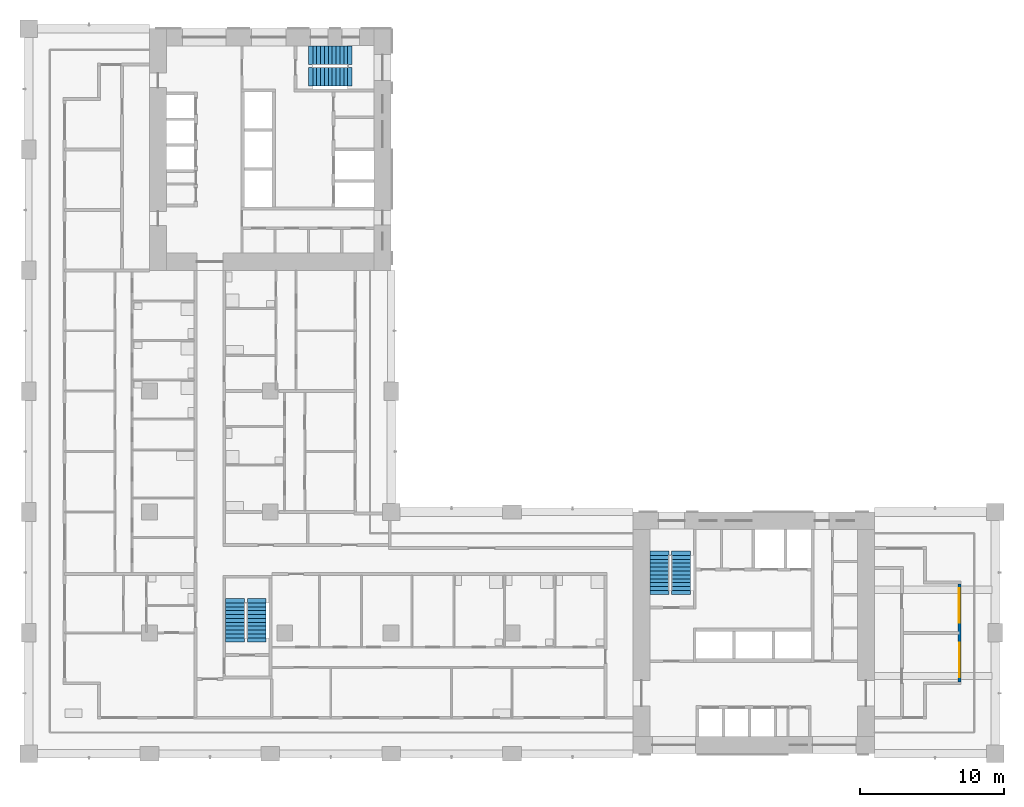
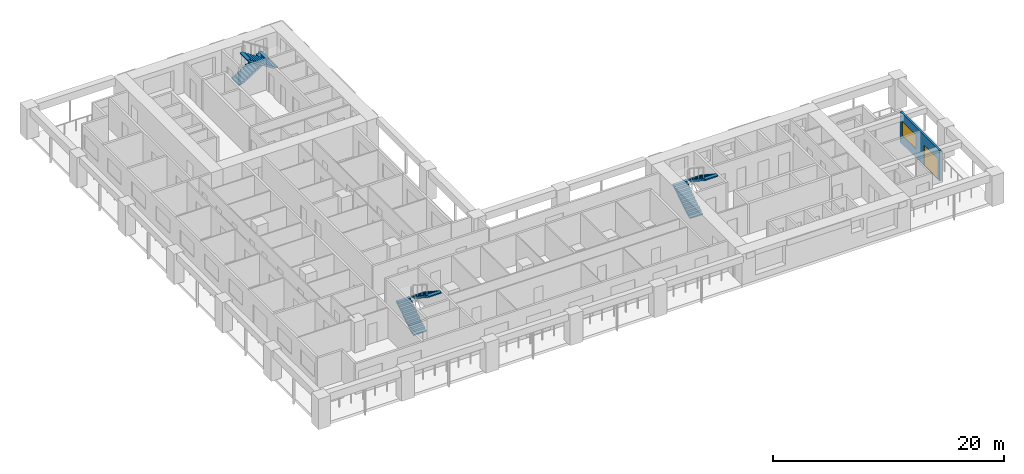
# One storey, part 9 of 17: 6 stair flights, 1 door, 1 wall, 1 window, 2 openings, 3 elements without a shape of their own.
"""IFC4 building model written with IfcOpenShell, lengths in metres."""

import ifcopenshell
import ifcopenshell.guid

model = None  # the IFC model being written
_history = None  # IfcOwnerHistory: only IFC2X3 demands one
_inside = {}  # id of a spatial element -> (the spatial element, [elements in it])
_under = {}  # id of a project, library or spatial element -> (it, [spatial elements below it])
_declared = {}  # id of a project -> (the project, [libraries it declares])
_typed = {}  # id of a type object -> (the type object, [elements of that type])
_made_of = {}  # id of a material, layer set ... -> (it, [elements and type objects made of it])


def new_model(schema):
    """Start an empty IFC model of exactly this schema.

    Asked for "IFC4X3", IfcOpenShell would pick the latest addendum, in which some entities
    have other attributes; the version numbers below select the first issue.
    IFC2X3 requires an IfcOwnerHistory on every rooted entity: one is made here for all.
    """
    global model, _history
    if schema == "IFC4X3":
        model = ifcopenshell.file(schema_version=(4, 3, 0, 0))
    else:
        model = ifcopenshell.file(schema=schema)
    _inside.clear()
    _under.clear()
    _declared.clear()
    _typed.clear()
    _made_of.clear()
    _history = None
    if model.schema == "IFC2X3":
        org = make("IfcOrganization", Name="unknown")
        user = make(
            "IfcPersonAndOrganization",
            ThePerson=make("IfcPerson", FamilyName="unknown"),
            TheOrganization=org,
        )
        app = make(
            "IfcApplication",
            ApplicationDeveloper=org,
            Version="unknown",
            ApplicationFullName="unknown",
            ApplicationIdentifier="unknown",
        )
        _history = make(
            "IfcOwnerHistory",
            OwningUser=user,
            OwningApplication=app,
            ChangeAction="ADDED",
            CreationDate=0,
        )
    return model


def make(cls, **values):
    """One entity of the class cls with the attributes given. An attribute that is None is left unset."""
    return model.create_entity(
        cls, **{name: value for name, value in values.items() if value is not None}
    )


def rooted(cls, **values):
    """An entity with a GlobalId (a new one), such as an element, a storey or a relation."""
    return make(cls, GlobalId=ifcopenshell.guid.new(), OwnerHistory=_history, **values)


def si_unit(unit_type, name, prefix=None):
    """IfcSIUnit, for example si_unit("LENGTHUNIT", "METRE", prefix="MILLI")."""
    return make("IfcSIUnit", UnitType=unit_type, Prefix=prefix, Name=name)


def assignment(units):
    """IfcUnitAssignment: the units of a project."""
    return None if units is None else make("IfcUnitAssignment", Units=units)


def point(xyz):
    """IfcCartesianPoint."""
    return None if xyz is None else make("IfcCartesianPoint", Coordinates=xyz)


def direction(xyz):
    """IfcDirection."""
    return None if xyz is None else make("IfcDirection", DirectionRatios=xyz)


def frame(location, z_axis=None, x_axis=None):
    """IfcAxis2Placement3D, a coordinate frame: its origin and axes. An axis left out is left unset."""
    return make(
        "IfcAxis2Placement3D",
        Location=point(location),
        Axis=direction(z_axis),
        RefDirection=direction(x_axis),
    )


def frame_2d(location, x_axis=None):
    """IfcAxis2Placement2D, a coordinate frame in the plane: its origin and x axis."""
    return make(
        "IfcAxis2Placement2D", Location=point(location), RefDirection=direction(x_axis)
    )


def origin():
    """The frame at (0, 0, 0) with its axes left unset."""
    return frame((0.0, 0.0, 0.0))


def place(relative_to, where):
    """IfcLocalPlacement: puts the frame where relative to a parent placement (None: the world)."""
    return make(
        "IfcLocalPlacement", PlacementRelTo=relative_to, RelativePlacement=where
    )


def context(
    kind, dimensions, precision=None, world=None, true_north=None, identifier=None
):
    """IfcGeometricRepresentationContext, for example the 3D "Model" context."""
    return make(
        "IfcGeometricRepresentationContext",
        ContextIdentifier=identifier,
        ContextType=kind,
        CoordinateSpaceDimension=dimensions,
        Precision=precision,
        WorldCoordinateSystem=world,
        TrueNorth=true_north,
    )


def subcontext(parent, identifier, kind, view, scale=None):
    """IfcGeometricRepresentationSubContext, for example "Body" below "Model"."""
    return make(
        "IfcGeometricRepresentationSubContext",
        ContextIdentifier=identifier,
        ContextType=kind,
        ParentContext=parent,
        TargetScale=scale,
        TargetView=view,
    )


def project(units=None, contexts=None):
    """IfcProject with its units and contexts."""
    return rooted(
        "IfcProject",
        Name="project",
        RepresentationContexts=contexts,
        UnitsInContext=assignment(units),
    )


def spatial(cls, under=None, at=None, **own):
    """A site, building, storey or space (cls), placed at a placement, below another one or the project."""
    s = rooted(cls, ObjectPlacement=at, **own)
    if under is not None:
        _under.setdefault(under.id(), (under, []))[1].append(s)
    return s


def polyline(points):
    """IfcPolyline through the points."""
    return make("IfcPolyline", Points=[point(p) for p in points])


def profile(cls, at=None, kind="AREA", **sizes):
    """A parametric profile (cls). Its sizes go by their IFC names, for example OverallWidth=200.0."""
    return make(cls, ProfileType=kind, Position=at, **sizes)


def rectangle(**sizes):
    """IfcRectangleProfileDef."""
    return profile("IfcRectangleProfileDef", **sizes)


def outline(outer, holes=None, kind="AREA"):
    """IfcArbitraryClosedProfileDef: a profile drawn as a closed curve; with holes, ...WithVoids."""
    if holes is None:
        return make("IfcArbitraryClosedProfileDef", ProfileType=kind, OuterCurve=outer)
    return make(
        "IfcArbitraryProfileDefWithVoids",
        ProfileType=kind,
        OuterCurve=outer,
        InnerCurves=holes,
    )


def extrude(swept, where, along, depth):
    """IfcExtrudedAreaSolid: the profile swept, set in the frame where, extruded along a direction by depth."""
    return make(
        "IfcExtrudedAreaSolid",
        SweptArea=swept,
        Position=where,
        ExtrudedDirection=direction(along),
        Depth=depth,
    )


def shape(context_of_items, identifier, shape_type, items):
    """IfcShapeRepresentation: the items that make up one representation, for example the "Body"."""
    return make(
        "IfcShapeRepresentation",
        ContextOfItems=context_of_items,
        RepresentationIdentifier=identifier,
        RepresentationType=shape_type,
        Items=items,
    )


def material(Name=None, Category=None):
    """IfcMaterial."""
    return make("IfcMaterial", Name=Name, Category=Category)


def layer(
    of_material, thickness, ventilated=None, Name=None, Category=None, Priority=None
):
    """IfcMaterialLayer: one layer of a wall or slab, of a material (None: an air gap)."""
    return make(
        "IfcMaterialLayer",
        Material=of_material,
        LayerThickness=thickness,
        IsVentilated=ventilated,
        Name=Name,
        Category=Category,
        Priority=Priority,
    )


def layer_set(layers, Name=None):
    """IfcMaterialLayerSet."""
    return make("IfcMaterialLayerSet", MaterialLayers=layers, LayerSetName=Name)


def made_of(thing, what):
    """Note that an element or type object is made of a material, layer set ...; save() writes the relation."""
    if what is not None:
        _made_of.setdefault(what.id(), (what, []))[1].append(thing)
    return thing


def type_object(cls, material=None, **own):
    """A type object (cls), such as IfcWallType, which elements share."""
    return made_of(rooted(cls, **own), material)


def element(
    cls,
    number,
    at=None,
    inside=None,
    cuts=None,
    type_object=None,
    material=None,
    context=None,
    identifier="Body",
    shape_type=None,
    held_by="IfcProductDefinitionShape",
    body=None,
    shapes=None,
    **own,
):
    """One element of the class cls, such as IfcWall. Its Tag is "e" and its number.

    at: its placement. inside: the storey or other place that contains it. cuts: it is an
    opening in that element (IfcRelVoidsElement). A single representation is given by context,
    identifier, shape_type and body (its items); several are given by shapes. held_by: the class
    of the entity that holds the representations. save() writes the other relations.
    """
    e = rooted(cls, Tag="e%d" % number, ObjectPlacement=at, **own)
    if body is not None:
        shapes = [shape(context, identifier, shape_type, body)]
    if shapes is not None:
        e.Representation = make(held_by, Representations=shapes)
    if inside is not None:
        _inside.setdefault(inside.id(), (inside, []))[1].append(e)
    if cuts is not None:
        rooted(
            "IfcRelVoidsElement", RelatingBuildingElement=cuts, RelatedOpeningElement=e
        )
    if type_object is not None:
        _typed.setdefault(type_object.id(), (type_object, []))[1].append(e)
    return made_of(e, material)


def fill(opening, filler):
    """IfcRelFillsElement: the door or window that sits in an opening."""
    return rooted(
        "IfcRelFillsElement",
        RelatingOpeningElement=opening,
        RelatedBuildingElement=filler,
    )


def aggregate(whole, parts):
    """IfcRelAggregates: a whole, such as a stair, and the parts it consists of."""
    return rooted("IfcRelAggregates", RelatingObject=whole, RelatedObjects=parts)


def save(model, path):
    """Write the relations noted so far, then the file.

    IfcRelAggregates (storeys below a building ...), IfcRelContainedInSpatialStructure (elements
    in a storey), IfcRelDefinesByType, IfcRelAssociatesMaterial and IfcRelDeclares: one each for
    every whole, place, type object, material and project.
    """
    for whole, parts in _under.values():
        aggregate(whole, parts)
    for where, things in _inside.values():
        rooted(
            "IfcRelContainedInSpatialStructure",
            RelatedElements=things,
            RelatingStructure=where,
        )
    for kind, things in _typed.values():
        rooted("IfcRelDefinesByType", RelatedObjects=things, RelatingType=kind)
    for what, things in _made_of.values():
        rooted("IfcRelAssociatesMaterial", RelatedObjects=things, RelatingMaterial=what)
    for by, libraries in _declared.values():
        rooted("IfcRelDeclares", RelatingContext=by, RelatedDefinitions=libraries)
    model.write(path)


model = new_model("IFC4")

# Units and contexts
model_context = context("Model", 3, precision=1e-05, world=origin(), true_north=direction((0.0, 1.0)))
body_context = subcontext(model_context, "Body", "Model", "MODEL_VIEW")
ifc_project = project(units=[si_unit("LENGTHUNIT", "METRE"), si_unit("AREAUNIT", "SQUARE_METRE"), si_unit("VOLUMEUNIT", "CUBIC_METRE"), si_unit("PLANEANGLEUNIT", "RADIAN"), si_unit("MASSUNIT", "GRAM", prefix="KILO")], contexts=[model_context])

# Site, building, storey
site_placement = place(None, origin())
site = spatial("IfcSite", under=ifc_project, at=site_placement, CompositionType="ELEMENT")
building_placement = place(site_placement, origin())
building = spatial("IfcBuilding", under=site, at=building_placement, Name="Vermilion Gate Residences", CompositionType="ELEMENT")
storey_placement = place(building_placement, frame((0.0, 0.0, 95.199951171875)))
storey = spatial("IfcBuildingStorey", under=building, at=storey_placement, Name="L23", CompositionType="ELEMENT", Elevation=95.199951171875)

# Wall, openings, door, window
ifc_material_1 = material(Name="Insulated steel stud wall with terracotta rainscreen", Category="masonry")
ifc_layer = layer(ifc_material_1, 0.199951171875)
ifc_layer_set = layer_set([ifc_layer], Name="EXTERNAL WALL 200 TERRACOTTA RAINSCREEN")
wall_type = type_object("IfcWallType", Name="EXTERNAL WALL 200 TERRACOTTA RAINSCREEN", PredefinedType="SOLIDWALL", material=ifc_layer_set)
wall_placement = place(storey_placement, frame((64.699951171875, 13.39990234375, 0.0), z_axis=(0.0, 0.0, 1.0), x_axis=(0.0, 1.0, 0.0)))
wall = element("IfcWall", 1, at=wall_placement, inside=storey, type_object=wall_type, Name="External wall", PredefinedType="SOLIDWALL", context=body_context, shape_type="SweptSolid", body=[
    extrude(rectangle(XDim=6.800048828125, YDim=0.199951171875, at=frame_2d((3.39990234375, 0.0))), origin(), (0.0, 0.0, 1.0), 3.219970703125),
])
opening_1_placement = place(wall_placement, frame((4.10009765625, 0.0, 0.89990234375)))
opening_1 = element("IfcOpeningElement", 2, at=opening_1_placement, cuts=wall, Name="Opening WE23022", PredefinedType="OPENING", context=body_context, shape_type="SweptSolid", body=[
    extrude(rectangle(XDim=2.39990234375, YDim=1.5, at=frame_2d((1.199951171875, 0.75))), frame((0.0, 0.10986328125, 0.0), z_axis=(0.0, -1.0, 0.0), x_axis=(1.0, 0.0, 0.0)), (0.0, 0.0, 1.0), 0.219970703125),
])
opening_2_placement = place(wall_placement, frame((0.300048828125, 0.0, 0.0)))
opening_2 = element("IfcOpeningElement", 3, at=opening_2_placement, cuts=wall, Name="Opening DE23028", PredefinedType="OPENING", context=body_context, shape_type="SweptSolid", body=[
    extrude(rectangle(XDim=2.39990234375, YDim=2.199951171875, at=frame_2d((1.199951171875, 1.10009765625))), frame((0.0, 0.10986328125, 0.0), z_axis=(0.0, -1.0, 0.0), x_axis=(1.0, 0.0, 0.0)), (0.0, 0.0, 1.0), 0.219970703125),
])
ifc_material_2 = material(Name="Aluminium and clear glass", Category="aluminium")
door_type = type_object("IfcDoorType", Name="SLIDING GLAZED DOOR 2400 X 2200", OperationType="DOUBLE_DOOR_SLIDING", PredefinedType="DOOR", material=ifc_material_2)
door_placement = place(opening_2_placement, origin())
door = element("IfcDoor", 4, at=door_placement, inside=storey, type_object=door_type, Name="Loggia sliding door", OperationType="DOUBLE_DOOR_SLIDING", OverallHeight=2.199951171875, OverallWidth=2.39990234375, PredefinedType="DOOR", context=body_context, shape_type="SweptSolid", body=[
    extrude(rectangle(XDim=2.39990234375, YDim=2.199951171875, at=frame_2d((1.199951171875, 1.10009765625))), frame((0.0, 0.02490234375, 0.0), z_axis=(0.0, -1.0, 0.0), x_axis=(1.0, 0.0, 0.0)), (0.0, 0.0, 1.0), 0.050048828125),
])
fill(opening_2, door)
ifc_material_3 = material(Name="Aluminium and clear glass", Category="aluminium")
window_type = type_object("IfcWindowType", Name="WINDOW 2400 X 1500", PartitioningType="SINGLE_PANEL", PredefinedType="WINDOW", material=ifc_material_3)
window_placement = place(opening_1_placement, origin())
window = element("IfcWindow", 5, at=window_placement, inside=storey, type_object=window_type, Name="Window", OverallHeight=1.5, OverallWidth=2.39990234375, PartitioningType="SINGLE_PANEL", PredefinedType="WINDOW", context=body_context, shape_type="SweptSolid", body=[
    extrude(rectangle(XDim=2.39990234375, YDim=1.5, at=frame_2d((1.199951171875, 0.75))), frame((0.0, 0.030029296875, 0.0), z_axis=(0.0, -1.0, 0.0), x_axis=(1.0, 0.0, 0.0)), (0.0, 0.0, 1.0), 0.06005859375),
])
fill(opening_1, window)

# Stair, stair flights
ifc_material_4 = material(Name="Concrete C50", Category="concrete")
stair_type = type_object("IfcStairType", Name="SPECIAL ESCAPE STAIR 1300", PredefinedType="HALF_TURN_STAIR", material=ifc_material_4)
stair_1_placement = place(storey_placement, origin())
stair_1 = element("IfcStair", 6, at=stair_1_placement, inside=storey, type_object=stair_type, Name="Special escape stair STA1-23", PredefinedType="HALF_TURN_STAIR")
ifc_material_5 = material(Name="Concrete C50", Category="concrete")
stair_flight_type = type_object("IfcStairFlightType", Name="STAIR FLIGHT 1300 RC C50", PredefinedType="STRAIGHT", material=ifc_material_5)
stair_flight_1_placement = place(storey_placement, frame((43.85009765625, 19.75, 0.0), z_axis=(0.0, 0.0, 1.0), x_axis=(0.0, 1.0, 0.0)))
stair_flight_1 = element("IfcStairFlight", 7, at=stair_flight_1_placement, type_object=stair_flight_type, Name="STA1-23 flight 1", NumberOfRisers=10, NumberOfTreads=9, PredefinedType="STRAIGHT", RiserHeight=0.175, TreadLength=0.27, context=body_context, shape_type="SweptSolid", body=[
    extrude(outline(polyline([(-0.300048828125, -0.14990234375), (-0.300048828125, -0.030029296875), (0.0, 0.0), (0.0, 0.175048828125), (0.27001953125, 0.175048828125), (0.27001953125, 0.35009765625), (0.5400390625, 0.35009765625), (0.5400390625, 0.52490234375), (0.81005859375, 0.52490234375), (0.81005859375, 0.699951171875), (1.080078125, 0.699951171875), (1.080078125, 0.875), (1.35009765625, 0.875), (1.35009765625, 1.050048828125), (1.6201171875, 1.050048828125), (1.6201171875, 1.22509765625), (1.889892578125, 1.22509765625), (1.889892578125, 1.39990234375), (2.159912109375, 1.39990234375), (2.159912109375, 1.574951171875), (2.429931640625, 1.574951171875), (2.429931640625, 1.75), (2.72998046875, 1.719970703125), (2.72998046875, 1.60009765625), (2.429931640625, 1.396484375), (0.275634765625, 0.0), (-0.300048828125, -0.14990234375)])), frame((0.0, 0.64990234375, 0.0), z_axis=(0.0, -1.0, 0.0), x_axis=(1.0, 0.0, 0.0)), (0.0, 0.0, 1.0), 1.300048828125),
])
stair_flight_2_placement = place(storey_placement, frame((45.35009765625, 22.179931640625, 1.75), z_axis=(0.0, 0.0, 1.0), x_axis=(0.0, -1.0, 0.0)))
stair_flight_2 = element("IfcStairFlight", 8, at=stair_flight_2_placement, type_object=stair_flight_type, Name="STA1-23 flight 2", NumberOfRisers=10, NumberOfTreads=9, PredefinedType="STRAIGHT", RiserHeight=0.175, TreadLength=0.27, context=body_context, shape_type="SweptSolid", body=[
    extrude(outline(polyline([(-0.300048828125, -0.14990234375), (-0.300048828125, -0.030029296875), (0.0, 0.0), (0.0, 0.175048828125), (0.27001953125, 0.175048828125), (0.27001953125, 0.35009765625), (0.5400390625, 0.35009765625), (0.5400390625, 0.52490234375), (0.81005859375, 0.52490234375), (0.81005859375, 0.699951171875), (1.080078125, 0.699951171875), (1.080078125, 0.875), (1.35009765625, 0.875), (1.35009765625, 1.050048828125), (1.6201171875, 1.050048828125), (1.6201171875, 1.22509765625), (1.889892578125, 1.22509765625), (1.889892578125, 1.39990234375), (2.159912109375, 1.39990234375), (2.159912109375, 1.574951171875), (2.429931640625, 1.574951171875), (2.429931640625, 1.75), (2.72998046875, 1.719970703125), (2.72998046875, 1.60009765625), (2.429931640625, 1.396484375), (0.275634765625, 0.0), (-0.300048828125, -0.14990234375)])), frame((0.0, 0.64990234375, 0.0), z_axis=(0.0, -1.0, 0.0), x_axis=(1.0, 0.0, 0.0)), (0.0, 0.0, 1.0), 1.300048828125),
])
aggregate(stair_1, [stair_flight_1, stair_flight_2])

stair_2_placement = place(storey_placement, origin())
stair_2 = element("IfcStair", 9, at=stair_2_placement, inside=storey, type_object=stair_type, Name="Special escape stair STB1-23", PredefinedType="HALF_TURN_STAIR")
stair_flight_3_placement = place(storey_placement, frame((19.75, 56.949951171875, 0.0), z_axis=(0.0, 0.0, 1.0), x_axis=(1.0, 0.0, 0.0)))
stair_flight_3 = element("IfcStairFlight", 10, at=stair_flight_3_placement, type_object=stair_flight_type, Name="STB1-23 flight 1", NumberOfRisers=10, NumberOfTreads=9, PredefinedType="STRAIGHT", RiserHeight=0.175, TreadLength=0.27, context=body_context, shape_type="SweptSolid", body=[
    extrude(outline(polyline([(-0.300048828125, -0.14990234375), (-0.300048828125, -0.030029296875), (0.0, 0.0), (0.0, 0.175048828125), (0.27001953125, 0.175048828125), (0.27001953125, 0.35009765625), (0.5400390625, 0.35009765625), (0.5400390625, 0.52490234375), (0.81005859375, 0.52490234375), (0.81005859375, 0.699951171875), (1.080078125, 0.699951171875), (1.080078125, 0.875), (1.35009765625, 0.875), (1.35009765625, 1.050048828125), (1.6201171875, 1.050048828125), (1.6201171875, 1.22509765625), (1.889892578125, 1.22509765625), (1.889892578125, 1.39990234375), (2.159912109375, 1.39990234375), (2.159912109375, 1.574951171875), (2.429931640625, 1.574951171875), (2.429931640625, 1.75), (2.72998046875, 1.719970703125), (2.72998046875, 1.60009765625), (2.429931640625, 1.396484375), (0.275634765625, 0.0), (-0.300048828125, -0.14990234375)])), frame((0.0, 0.64990234375, 0.0), z_axis=(0.0, -1.0, 0.0), x_axis=(1.0, 0.0, 0.0)), (0.0, 0.0, 1.0), 1.300048828125),
])
stair_flight_4_placement = place(storey_placement, frame((22.179931640625, 55.449951171875, 1.75), z_axis=(0.0, 0.0, 1.0), x_axis=(-1.0, 0.0, 0.0)))
stair_flight_4 = element("IfcStairFlight", 11, at=stair_flight_4_placement, type_object=stair_flight_type, Name="STB1-23 flight 2", NumberOfRisers=10, NumberOfTreads=9, PredefinedType="STRAIGHT", RiserHeight=0.175, TreadLength=0.27, context=body_context, shape_type="SweptSolid", body=[
    extrude(outline(polyline([(-0.300048828125, -0.14990234375), (-0.300048828125, -0.030029296875), (0.0, 0.0), (0.0, 0.175048828125), (0.27001953125, 0.175048828125), (0.27001953125, 0.35009765625), (0.5400390625, 0.35009765625), (0.5400390625, 0.52490234375), (0.81005859375, 0.52490234375), (0.81005859375, 0.699951171875), (1.080078125, 0.699951171875), (1.080078125, 0.875), (1.35009765625, 0.875), (1.35009765625, 1.050048828125), (1.6201171875, 1.050048828125), (1.6201171875, 1.22509765625), (1.889892578125, 1.22509765625), (1.889892578125, 1.39990234375), (2.159912109375, 1.39990234375), (2.159912109375, 1.574951171875), (2.429931640625, 1.574951171875), (2.429931640625, 1.75), (2.72998046875, 1.719970703125), (2.72998046875, 1.60009765625), (2.429931640625, 1.396484375), (0.275634765625, 0.0), (-0.300048828125, -0.14990234375)])), frame((0.0, 0.64990234375, 0.0), z_axis=(0.0, -1.0, 0.0), x_axis=(1.0, 0.0, 0.0)), (0.0, 0.0, 1.0), 1.300048828125),
])
aggregate(stair_2, [stair_flight_3, stair_flight_4])

stair_3_placement = place(storey_placement, origin())
stair_3 = element("IfcStair", 12, at=stair_3_placement, inside=storey, type_object=stair_type, Name="Special escape stair STC1-23", PredefinedType="HALF_TURN_STAIR")
stair_flight_5_placement = place(storey_placement, frame((14.35009765625, 16.449951171875, 0.0), z_axis=(0.0, 0.0, 1.0), x_axis=(0.0, 1.0, 0.0)))
stair_flight_5 = element("IfcStairFlight", 13, at=stair_flight_5_placement, type_object=stair_flight_type, Name="STC1-23 flight 1", NumberOfRisers=10, NumberOfTreads=9, PredefinedType="STRAIGHT", RiserHeight=0.175, TreadLength=0.27, context=body_context, shape_type="SweptSolid", body=[
    extrude(outline(polyline([(-0.300048828125, -0.14990234375), (-0.300048828125, -0.030029296875), (0.0, 0.0), (0.0, 0.175048828125), (0.27001953125, 0.175048828125), (0.27001953125, 0.35009765625), (0.5400390625, 0.35009765625), (0.5400390625, 0.52490234375), (0.81005859375, 0.52490234375), (0.81005859375, 0.699951171875), (1.080078125, 0.699951171875), (1.080078125, 0.875), (1.35009765625, 0.875), (1.35009765625, 1.050048828125), (1.6201171875, 1.050048828125), (1.6201171875, 1.22509765625), (1.889892578125, 1.22509765625), (1.889892578125, 1.39990234375), (2.159912109375, 1.39990234375), (2.159912109375, 1.574951171875), (2.429931640625, 1.574951171875), (2.429931640625, 1.75), (2.72998046875, 1.719970703125), (2.72998046875, 1.60009765625), (2.429931640625, 1.396484375), (0.275634765625, 0.0), (-0.300048828125, -0.14990234375)])), frame((0.0, 0.64990234375, 0.0), z_axis=(0.0, -1.0, 0.0), x_axis=(1.0, 0.0, 0.0)), (0.0, 0.0, 1.0), 1.300048828125),
])
stair_flight_6_placement = place(storey_placement, frame((15.85009765625, 18.8798828125, 1.75), z_axis=(0.0, 0.0, 1.0), x_axis=(0.0, -1.0, 0.0)))
stair_flight_6 = element("IfcStairFlight", 14, at=stair_flight_6_placement, type_object=stair_flight_type, Name="STC1-23 flight 2", NumberOfRisers=10, NumberOfTreads=9, PredefinedType="STRAIGHT", RiserHeight=0.175, TreadLength=0.27, context=body_context, shape_type="SweptSolid", body=[
    extrude(outline(polyline([(-0.300048828125, -0.14990234375), (-0.300048828125, -0.030029296875), (0.0, 0.0), (0.0, 0.175048828125), (0.27001953125, 0.175048828125), (0.27001953125, 0.35009765625), (0.5400390625, 0.35009765625), (0.5400390625, 0.52490234375), (0.81005859375, 0.52490234375), (0.81005859375, 0.699951171875), (1.080078125, 0.699951171875), (1.080078125, 0.875), (1.35009765625, 0.875), (1.35009765625, 1.050048828125), (1.6201171875, 1.050048828125), (1.6201171875, 1.22509765625), (1.889892578125, 1.22509765625), (1.889892578125, 1.39990234375), (2.159912109375, 1.39990234375), (2.159912109375, 1.574951171875), (2.429931640625, 1.574951171875), (2.429931640625, 1.75), (2.72998046875, 1.719970703125), (2.72998046875, 1.60009765625), (2.429931640625, 1.396484375), (0.275634765625, 0.0), (-0.300048828125, -0.14990234375)])), frame((0.0, 0.64990234375, 0.0), z_axis=(0.0, -1.0, 0.0), x_axis=(1.0, 0.0, 0.0)), (0.0, 0.0, 1.0), 1.300048828125),
])
aggregate(stair_3, [stair_flight_5, stair_flight_6])

save(model, "model.ifc")
